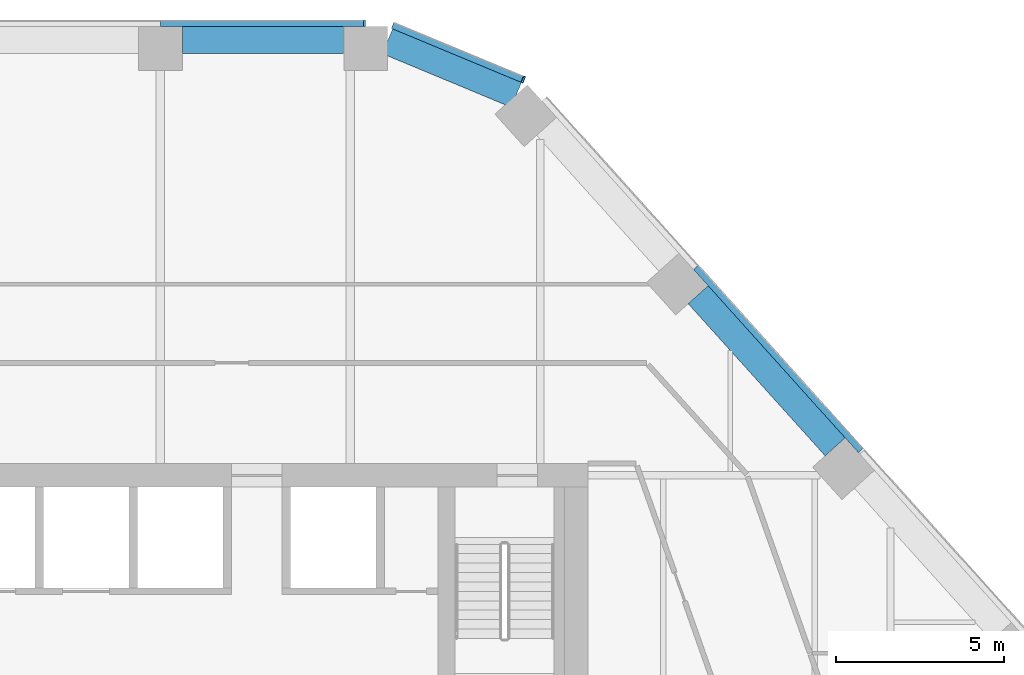
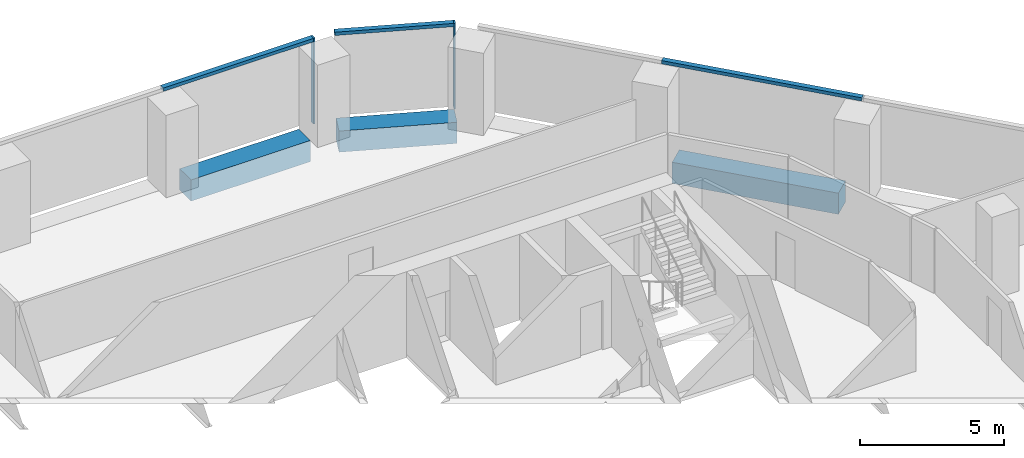
# One storey, part 9 of 16: 5 members, 3 beams, 3 elements without a shape of their own.
"""IFC4 building model written with IfcOpenShell, lengths in metres."""

from ifc_helpers import new_model, si_unit, direction, frame, origin, origin_2d, place, context, subcontext, project, spatial, rectangle, extrude, material, layer, layer_set, material_profile, profile_set, type_object, element, aggregate, save


model = new_model("IFC4")

# Units and contexts
model_context = context("Model", 3, precision=1e-05, world=origin(), true_north=direction((0.0, 1.0)))
body_context = subcontext(model_context, "Body", "Model", "MODEL_VIEW")
ifc_project = project(units=[si_unit("LENGTHUNIT", "METRE"), si_unit("AREAUNIT", "SQUARE_METRE"), si_unit("VOLUMEUNIT", "CUBIC_METRE"), si_unit("PLANEANGLEUNIT", "RADIAN"), si_unit("MASSUNIT", "GRAM", prefix="KILO")], contexts=[model_context])

# Site, building, storey
site_placement = place(None, origin())
site = spatial("IfcSite", under=ifc_project, at=site_placement, CompositionType="ELEMENT")
building_placement = place(site_placement, origin())
building = spatial("IfcBuilding", under=site, at=building_placement, Name="Isthmus Gate Tower", CompositionType="ELEMENT")
storey_placement = place(building_placement, frame((0.0, 0.0, 185.39990234375)))
storey = spatial("IfcBuildingStorey", under=building, at=storey_placement, Name="L46", CompositionType="ELEMENT", Elevation=185.39990234375)

# Curtain wall, member
ifc_material_1 = material(Name="Aluminium, pale champagne anodised", Category="aluminium")
ifc_layer = layer(ifc_material_1, 0.199951171875)
ifc_layer_set = layer_set([ifc_layer], Name="CW-1 UNITISED CURTAIN WALL 200 DEEP")
curtain_wall_type = type_object("IfcCurtainWallType", Name="CW-1 UNITISED CURTAIN WALL 200 DEEP", PredefinedType="NOTDEFINED", material=ifc_layer_set)
curtain_wall_1_placement = place(storey_placement, origin())
curtain_wall_1 = element("IfcCurtainWall", 1, at=curtain_wall_1_placement, inside=storey, type_object=curtain_wall_type, Name="CW-1 N L46", PredefinedType="NOTDEFINED")
ifc_material_2 = material(Name="Aluminium, pale champagne anodised", Category="aluminium")
ifc_material_profile_1 = material_profile(ifc_material_2, rectangle(XDim=0.06005859375, YDim=0.199951171875, at=origin_2d()), Name="60x200")
ifc_profile_set_1 = profile_set([ifc_material_profile_1], Name="Aluminium, pale champagne anodised")
member_type_1 = type_object("IfcMemberType", Name="CW-1 MULLION 60 X 200", PredefinedType="MULLION", material=ifc_profile_set_1)
member_1_placement = place(storey_placement, frame((8.358642578125, 28.10009765625, 0.0), z_axis=(0.0, 0.0, 1.0), x_axis=(-1.0, 0.0, 0.0)))
member_1 = element("IfcMember", 2, at=member_1_placement, type_object=member_type_1, Name="CW-1 mullion", PredefinedType="MULLION", context=body_context, shape_type="SweptSolid", body=[
    extrude(rectangle(XDim=0.06005859375, YDim=0.199951171875, at=origin_2d()), origin(), (0.0, 0.0, 1.0), 3.650146484375),
])

curtain_wall_2_placement = place(storey_placement, origin())
curtain_wall_2 = element("IfcCurtainWall", 3, at=curtain_wall_2_placement, inside=storey, type_object=curtain_wall_type, Name="CW-1 NE-N L46", PredefinedType="NOTDEFINED")
member_2_placement = place(storey_placement, frame((13.080810546875, 26.427490234375, 0.0), z_axis=(0.0, 0.0, 1.0), x_axis=(-0.923353128387, 0.383951820282, 0.0)))
member_2 = element("IfcMember", 4, at=member_2_placement, type_object=member_type_1, Name="CW-1 mullion", PredefinedType="MULLION", context=body_context, shape_type="SweptSolid", body=[
    extrude(rectangle(XDim=0.06005859375, YDim=0.199951171875, at=origin_2d()), origin(), (0.0, 0.0, 1.0), 3.650146484375),
])

# Member
ifc_material_3 = material(Name="Aluminium, pale champagne anodised", Category="aluminium")
ifc_material_profile_2 = material_profile(ifc_material_3, rectangle(XDim=0.199951171875, YDim=0.139892578125, at=origin_2d()), Name="200x140")
ifc_profile_set_2 = profile_set([ifc_material_profile_2], Name="Aluminium, pale champagne anodised")
member_type_2 = type_object("IfcMemberType", Name="CW-1 TRANSOM 200 X 140", PredefinedType="USERDEFINED", material=ifc_profile_set_2)
member_3_placement = place(storey_placement, frame((8.32861328125, 28.10009765625, 3.580078125), z_axis=(-1.0, 0.0, 0.0), x_axis=(0.0, -1.0, 0.0)))
member_3 = element("IfcMember", 5, at=member_3_placement, type_object=member_type_2, Name="CW-1 transom", ObjectType="TRANSOM", PredefinedType="USERDEFINED", context=body_context, shape_type="SweptSolid", body=[
    extrude(rectangle(XDim=0.199951171875, YDim=0.139892578125, at=origin_2d()), origin(), (0.0, 0.0, 1.0), 6.040283203125),
])

aggregate(curtain_wall_1, [member_1, member_3])

# Curtain wall, member
curtain_wall_3_placement = place(storey_placement, origin())
curtain_wall_3 = element("IfcCurtainWall", 6, at=curtain_wall_3_placement, inside=storey, type_object=curtain_wall_type, Name="CW-1 NE L46", PredefinedType="NOTDEFINED")
member_4_placement = place(storey_placement, frame((23.126708984375, 15.3955078125, 3.580078125), z_axis=(-0.669137671884, 0.743138463589, 0.0), x_axis=(-0.743138463589, -0.669137671884, 0.0)))
member_4 = element("IfcMember", 7, at=member_4_placement, type_object=member_type_2, Name="CW-1 transom", ObjectType="TRANSOM", PredefinedType="USERDEFINED", context=body_context, shape_type="SweptSolid", body=[
    extrude(rectangle(XDim=0.199951171875, YDim=0.139892578125, at=origin_2d()), origin(), (0.0, 0.0, 1.0), 7.330810546875),
])
aggregate(curtain_wall_3, [member_4])

# Member
member_5_placement = place(storey_placement, frame((13.05322265625, 26.43896484375, 3.580078125), z_axis=(-0.923358236369, 0.383939536033, 0.0), x_axis=(-0.383939536033, -0.923358236369, 0.0)))
member_5 = element("IfcMember", 8, at=member_5_placement, type_object=member_type_2, Name="CW-1 transom", ObjectType="TRANSOM", PredefinedType="USERDEFINED", context=body_context, shape_type="SweptSolid", body=[
    extrude(rectangle(XDim=0.199951171875, YDim=0.139892578125, at=origin_2d()), origin(), (0.0, 0.0, 1.0), 4.181640625),
])

aggregate(curtain_wall_2, [member_2, member_5])

# Beams
ifc_material_4 = material(Name="Concrete f'c 60 MPa", Category="concrete")
ifc_material_profile_3 = material_profile(ifc_material_4, rectangle(XDim=0.800048828125, YDim=0.89990234375, at=origin_2d()), Name="RC 800X900")
ifc_profile_set_3 = profile_set([ifc_material_profile_3], Name="Concrete f'c 60 MPa")
beam_type = type_object("IfcBeamType", Name="RC SPANDREL 800 X 900", PredefinedType="SPANDREL", material=ifc_profile_set_3)
beam_1_placement = place(storey_placement, frame((9.03857421875, 27.56689453125, -0.449951171875), z_axis=(0.923342835736, -0.383976571805, 0.0), x_axis=(0.383976571805, 0.923342835736, 0.0)))
element("IfcBeam", 9, at=beam_1_placement, inside=storey, type_object=beam_type, Name="str-spandrel-L46-00", PredefinedType="SPANDREL", context=body_context, shape_type="SweptSolid", body=[
    extrude(rectangle(XDim=0.800048828125, YDim=0.89990234375, at=origin_2d()), origin(), (0.0, 0.0, 1.0), 4.152587890625),
])
beam_2_placement = place(storey_placement, frame((18.284912109375, 20.025634765625, -0.449951171875), z_axis=(0.669119737495, -0.743154611703, 0.0), x_axis=(0.743154611703, 0.669119737495, 0.0)))
element("IfcBeam", 10, at=beam_2_placement, inside=storey, type_object=beam_type, Name="str-spandrel-L46-02", PredefinedType="SPANDREL", context=body_context, shape_type="SweptSolid", body=[
    extrude(rectangle(XDim=0.800048828125, YDim=0.89990234375, at=origin_2d()), origin(), (0.0, 0.0, 1.0), 6.0908203125),
])
beam_3_placement = place(storey_placement, frame((2.9384765625, 27.60009765625, -0.449951171875), z_axis=(1.0, 0.0, 0.0), x_axis=(0.0, 1.0, 0.0)))
element("IfcBeam", 11, at=beam_3_placement, inside=storey, type_object=beam_type, Name="str-spandrel-L46-29", PredefinedType="SPANDREL", context=body_context, shape_type="SweptSolid", body=[
    extrude(rectangle(XDim=0.800048828125, YDim=0.89990234375, at=origin_2d()), origin(), (0.0, 0.0, 1.0), 4.800048828125),
])

save(model, "model.ifc")
